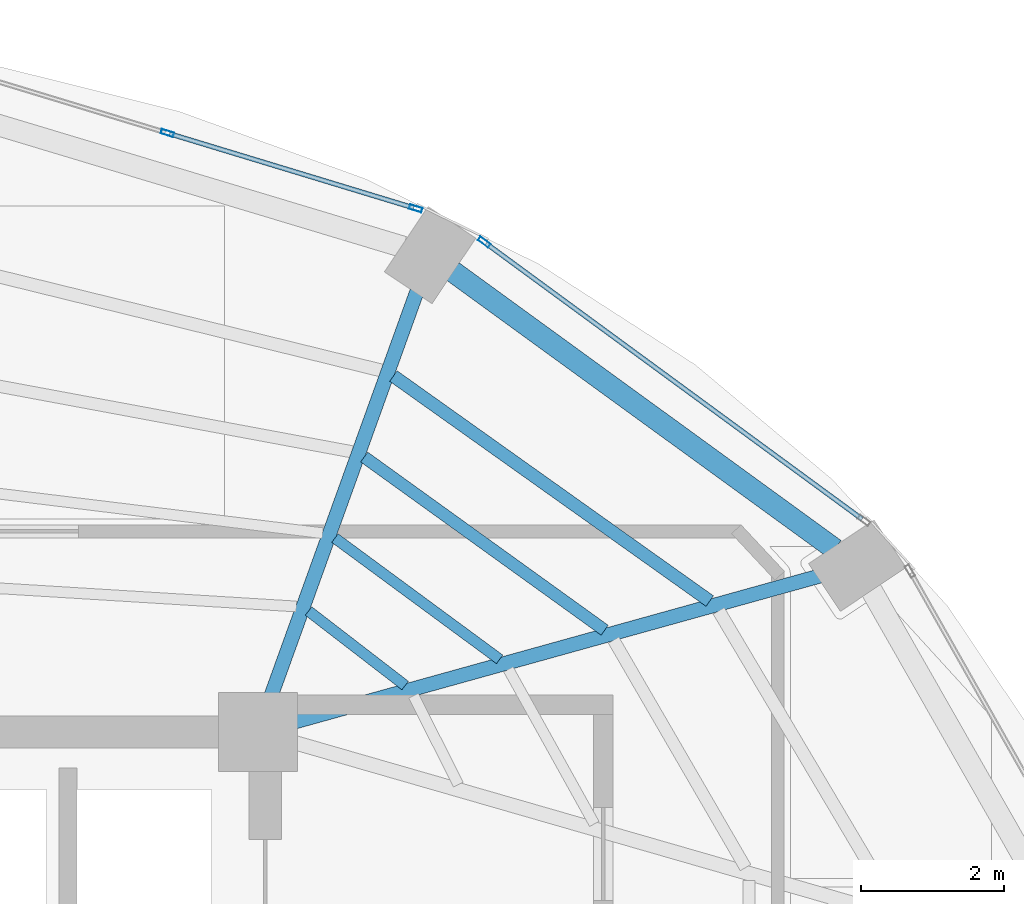
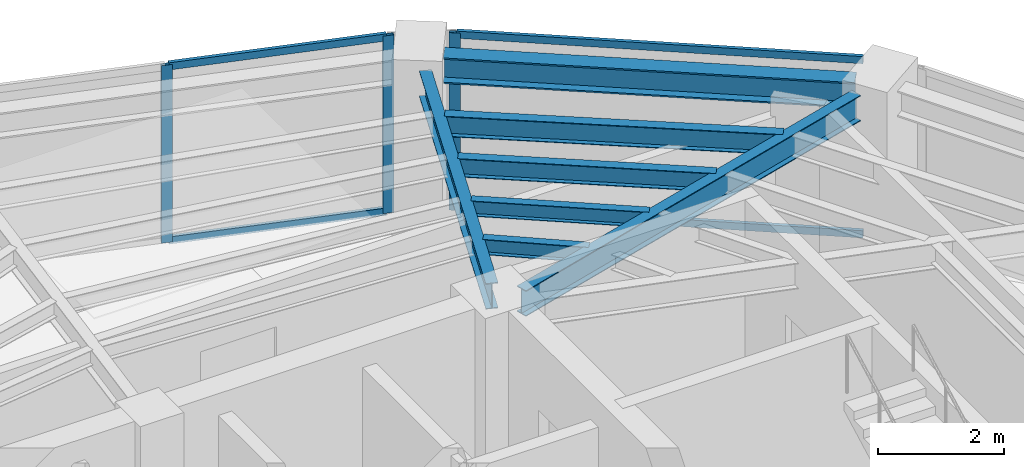
# One storey, part 4 of 12: 7 beams, 7 members, 2 elements without a shape of their own.
"""IFC4 building model written with IfcOpenShell, lengths in metres."""

import ifcopenshell
import ifcopenshell.guid

model = None  # the IFC model being written
_history = None  # IfcOwnerHistory: only IFC2X3 demands one
_inside = {}  # id of a spatial element -> (the spatial element, [elements in it])
_under = {}  # id of a project, library or spatial element -> (it, [spatial elements below it])
_declared = {}  # id of a project -> (the project, [libraries it declares])
_typed = {}  # id of a type object -> (the type object, [elements of that type])
_made_of = {}  # id of a material, layer set ... -> (it, [elements and type objects made of it])


def new_model(schema):
    """Start an empty IFC model of exactly this schema.

    Asked for "IFC4X3", IfcOpenShell would pick the latest addendum, in which some entities
    have other attributes; the version numbers below select the first issue.
    IFC2X3 requires an IfcOwnerHistory on every rooted entity: one is made here for all.
    """
    global model, _history
    if schema == "IFC4X3":
        model = ifcopenshell.file(schema_version=(4, 3, 0, 0))
    else:
        model = ifcopenshell.file(schema=schema)
    _inside.clear()
    _under.clear()
    _declared.clear()
    _typed.clear()
    _made_of.clear()
    _history = None
    if model.schema == "IFC2X3":
        org = make("IfcOrganization", Name="unknown")
        user = make(
            "IfcPersonAndOrganization",
            ThePerson=make("IfcPerson", FamilyName="unknown"),
            TheOrganization=org,
        )
        app = make(
            "IfcApplication",
            ApplicationDeveloper=org,
            Version="unknown",
            ApplicationFullName="unknown",
            ApplicationIdentifier="unknown",
        )
        _history = make(
            "IfcOwnerHistory",
            OwningUser=user,
            OwningApplication=app,
            ChangeAction="ADDED",
            CreationDate=0,
        )
    return model


def make(cls, **values):
    """One entity of the class cls with the attributes given. An attribute that is None is left unset."""
    return model.create_entity(
        cls, **{name: value for name, value in values.items() if value is not None}
    )


def rooted(cls, **values):
    """An entity with a GlobalId (a new one), such as an element, a storey or a relation."""
    return make(cls, GlobalId=ifcopenshell.guid.new(), OwnerHistory=_history, **values)


def si_unit(unit_type, name, prefix=None):
    """IfcSIUnit, for example si_unit("LENGTHUNIT", "METRE", prefix="MILLI")."""
    return make("IfcSIUnit", UnitType=unit_type, Prefix=prefix, Name=name)


def assignment(units):
    """IfcUnitAssignment: the units of a project."""
    return None if units is None else make("IfcUnitAssignment", Units=units)


def point(xyz):
    """IfcCartesianPoint."""
    return None if xyz is None else make("IfcCartesianPoint", Coordinates=xyz)


def direction(xyz):
    """IfcDirection."""
    return None if xyz is None else make("IfcDirection", DirectionRatios=xyz)


def frame(location, z_axis=None, x_axis=None):
    """IfcAxis2Placement3D, a coordinate frame: its origin and axes. An axis left out is left unset."""
    return make(
        "IfcAxis2Placement3D",
        Location=point(location),
        Axis=direction(z_axis),
        RefDirection=direction(x_axis),
    )


def frame_2d(location, x_axis=None):
    """IfcAxis2Placement2D, a coordinate frame in the plane: its origin and x axis."""
    return make(
        "IfcAxis2Placement2D", Location=point(location), RefDirection=direction(x_axis)
    )


def origin():
    """The frame at (0, 0, 0) with its axes left unset."""
    return frame((0.0, 0.0, 0.0))


def origin_2d():
    """The frame at (0, 0) in the plane with its x axis left unset."""
    return frame_2d((0.0, 0.0))


def place(relative_to, where):
    """IfcLocalPlacement: puts the frame where relative to a parent placement (None: the world)."""
    return make(
        "IfcLocalPlacement", PlacementRelTo=relative_to, RelativePlacement=where
    )


def context(
    kind, dimensions, precision=None, world=None, true_north=None, identifier=None
):
    """IfcGeometricRepresentationContext, for example the 3D "Model" context."""
    return make(
        "IfcGeometricRepresentationContext",
        ContextIdentifier=identifier,
        ContextType=kind,
        CoordinateSpaceDimension=dimensions,
        Precision=precision,
        WorldCoordinateSystem=world,
        TrueNorth=true_north,
    )


def subcontext(parent, identifier, kind, view, scale=None):
    """IfcGeometricRepresentationSubContext, for example "Body" below "Model"."""
    return make(
        "IfcGeometricRepresentationSubContext",
        ContextIdentifier=identifier,
        ContextType=kind,
        ParentContext=parent,
        TargetScale=scale,
        TargetView=view,
    )


def project(units=None, contexts=None):
    """IfcProject with its units and contexts."""
    return rooted(
        "IfcProject",
        Name="project",
        RepresentationContexts=contexts,
        UnitsInContext=assignment(units),
    )


def spatial(cls, under=None, at=None, **own):
    """A site, building, storey or space (cls), placed at a placement, below another one or the project."""
    s = rooted(cls, ObjectPlacement=at, **own)
    if under is not None:
        _under.setdefault(under.id(), (under, []))[1].append(s)
    return s


def profile(cls, at=None, kind="AREA", **sizes):
    """A parametric profile (cls). Its sizes go by their IFC names, for example OverallWidth=200.0."""
    return make(cls, ProfileType=kind, Position=at, **sizes)


def hollow_rectangle(**sizes):
    """IfcRectangleHollowProfileDef."""
    return profile("IfcRectangleHollowProfileDef", **sizes)


def i_section(**sizes):
    """IfcIShapeProfileDef."""
    return profile("IfcIShapeProfileDef", **sizes)


def extrude(swept, where, along, depth):
    """IfcExtrudedAreaSolid: the profile swept, set in the frame where, extruded along a direction by depth."""
    return make(
        "IfcExtrudedAreaSolid",
        SweptArea=swept,
        Position=where,
        ExtrudedDirection=direction(along),
        Depth=depth,
    )


def shape(context_of_items, identifier, shape_type, items):
    """IfcShapeRepresentation: the items that make up one representation, for example the "Body"."""
    return make(
        "IfcShapeRepresentation",
        ContextOfItems=context_of_items,
        RepresentationIdentifier=identifier,
        RepresentationType=shape_type,
        Items=items,
    )


def material(Name=None, Category=None):
    """IfcMaterial."""
    return make("IfcMaterial", Name=Name, Category=Category)


def layer(
    of_material, thickness, ventilated=None, Name=None, Category=None, Priority=None
):
    """IfcMaterialLayer: one layer of a wall or slab, of a material (None: an air gap)."""
    return make(
        "IfcMaterialLayer",
        Material=of_material,
        LayerThickness=thickness,
        IsVentilated=ventilated,
        Name=Name,
        Category=Category,
        Priority=Priority,
    )


def layer_set(layers, Name=None):
    """IfcMaterialLayerSet."""
    return make("IfcMaterialLayerSet", MaterialLayers=layers, LayerSetName=Name)


def material_profile(
    of_material, cross_section, Name=None, Category=None, Priority=None
):
    """IfcMaterialProfile: a cross section and its material."""
    return make(
        "IfcMaterialProfile",
        Name=Name,
        Material=of_material,
        Profile=cross_section,
        Priority=Priority,
        Category=Category,
    )


def profile_set(profiles, Name=None, composite=None):
    """IfcMaterialProfileSet."""
    return make(
        "IfcMaterialProfileSet",
        Name=Name,
        MaterialProfiles=profiles,
        CompositeProfile=composite,
    )


def made_of(thing, what):
    """Note that an element or type object is made of a material, layer set ...; save() writes the relation."""
    if what is not None:
        _made_of.setdefault(what.id(), (what, []))[1].append(thing)
    return thing


def type_object(cls, material=None, **own):
    """A type object (cls), such as IfcWallType, which elements share."""
    return made_of(rooted(cls, **own), material)


def element(
    cls,
    number,
    at=None,
    inside=None,
    cuts=None,
    type_object=None,
    material=None,
    context=None,
    identifier="Body",
    shape_type=None,
    held_by="IfcProductDefinitionShape",
    body=None,
    shapes=None,
    **own,
):
    """One element of the class cls, such as IfcWall. Its Tag is "e" and its number.

    at: its placement. inside: the storey or other place that contains it. cuts: it is an
    opening in that element (IfcRelVoidsElement). A single representation is given by context,
    identifier, shape_type and body (its items); several are given by shapes. held_by: the class
    of the entity that holds the representations. save() writes the other relations.
    """
    e = rooted(cls, Tag="e%d" % number, ObjectPlacement=at, **own)
    if body is not None:
        shapes = [shape(context, identifier, shape_type, body)]
    if shapes is not None:
        e.Representation = make(held_by, Representations=shapes)
    if inside is not None:
        _inside.setdefault(inside.id(), (inside, []))[1].append(e)
    if cuts is not None:
        rooted(
            "IfcRelVoidsElement", RelatingBuildingElement=cuts, RelatedOpeningElement=e
        )
    if type_object is not None:
        _typed.setdefault(type_object.id(), (type_object, []))[1].append(e)
    return made_of(e, material)


def aggregate(whole, parts):
    """IfcRelAggregates: a whole, such as a stair, and the parts it consists of."""
    return rooted("IfcRelAggregates", RelatingObject=whole, RelatedObjects=parts)


def save(model, path):
    """Write the relations noted so far, then the file.

    IfcRelAggregates (storeys below a building ...), IfcRelContainedInSpatialStructure (elements
    in a storey), IfcRelDefinesByType, IfcRelAssociatesMaterial and IfcRelDeclares: one each for
    every whole, place, type object, material and project.
    """
    for whole, parts in _under.values():
        aggregate(whole, parts)
    for where, things in _inside.values():
        rooted(
            "IfcRelContainedInSpatialStructure",
            RelatedElements=things,
            RelatingStructure=where,
        )
    for kind, things in _typed.values():
        rooted("IfcRelDefinesByType", RelatedObjects=things, RelatingType=kind)
    for what, things in _made_of.values():
        rooted("IfcRelAssociatesMaterial", RelatedObjects=things, RelatingMaterial=what)
    for by, libraries in _declared.values():
        rooted("IfcRelDeclares", RelatingContext=by, RelatedDefinitions=libraries)
    model.write(path)


model = new_model("IFC4")

# Units and contexts
model_context = context("Model", 3, precision=1e-05, world=origin(), true_north=direction((0.0, 1.0)))
body_context = subcontext(model_context, "Body", "Model", "MODEL_VIEW")
ifc_project = project(units=[si_unit("LENGTHUNIT", "METRE"), si_unit("AREAUNIT", "SQUARE_METRE"), si_unit("VOLUMEUNIT", "CUBIC_METRE"), si_unit("PLANEANGLEUNIT", "RADIAN"), si_unit("MASSUNIT", "GRAM", prefix="KILO")], contexts=[model_context])

# Site, building, storey
site_placement = place(None, origin())
site = spatial("IfcSite", under=ifc_project, at=site_placement, CompositionType="ELEMENT")
building_placement = place(site_placement, origin())
building = spatial("IfcBuilding", under=site, at=building_placement, Name="Lazwardi Medical Tower", CompositionType="ELEMENT")
storey_placement = place(building_placement, frame((0.0, 0.0, 287.85595703125)))
storey = spatial("IfcBuildingStorey", under=building, at=storey_placement, Name="L75", CompositionType="ELEMENT", Elevation=287.85595703125)

# Beams
ifc_material_1 = material(Name="Steel S355", Category="steel")
ifc_material_profile_1 = material_profile(ifc_material_1, i_section(OverallWidth=0.300048828125, OverallDepth=0.5, WebThickness=0.014404296875, FlangeThickness=0.028076171875, at=origin_2d()), Name="HEB 500")
ifc_profile_set_1 = profile_set([ifc_material_profile_1], Name="Steel S355")
beam_type_1 = type_object("IfcBeamType", Name="BM-RB-Z4", PredefinedType="BEAM", material=ifc_profile_set_1)
beam_1_placement = place(storey_placement, frame((53.644287109375, 38.15185546875, 3.197998046875), z_axis=(-0.808889916254, 0.587960120571, 0.0), x_axis=(-0.587960120571, -0.808889916254, 0.0)))
element("IfcBeam", 1, at=beam_1_placement, inside=storey, type_object=beam_type_1, Name="Ring beam RB-05 B06 L75", PredefinedType="BEAM", context=body_context, shape_type="SweptSolid", body=[
    extrude(i_section(OverallWidth=0.300048828125, OverallDepth=0.5, WebThickness=0.014404296875, FlangeThickness=0.028076171875, at=origin_2d()), origin(), (0.0, 0.0, 1.0), 6.587158203125),
])
ifc_material_profile_2 = material_profile(ifc_material_1, i_section(OverallWidth=0.199951171875, OverallDepth=0.5, WebThickness=0.01025390625, FlangeThickness=0.01611328125, at=origin_2d()), Name="IPE 500")
ifc_profile_set_2 = profile_set([ifc_material_profile_2], Name="Steel S355")
beam_type_2 = type_object("IfcBeamType", Name="BM-RG-W3", PredefinedType="BEAM", material=ifc_profile_set_2)
beam_2_placement = place(storey_placement, frame((53.444091796875, 37.779296875, 3.197998046875), z_axis=(-0.963504112843, -0.267693527254, 0.0), x_axis=(0.267693527254, -0.963504112843, 0.0)))
element("IfcBeam", 2, at=beam_2_placement, inside=storey, type_object=beam_type_2, Name="Radial girder RG-04 R06 L75", PredefinedType="BEAM", context=body_context, shape_type="SweptSolid", body=[
    extrude(i_section(OverallWidth=0.199951171875, OverallDepth=0.5, WebThickness=0.01025390625, FlangeThickness=0.01611328125, at=origin_2d()), origin(), (0.0, 0.0, 1.0), 7.606201171875),
])
beam_3_placement = place(storey_placement, frame((47.81884765625, 41.750732421875, 3.197998046875), z_axis=(-0.339348661818, -0.940660664492, 0.0), x_axis=(0.940660664492, -0.339348661818, 0.0)))
element("IfcBeam", 3, at=beam_3_placement, inside=storey, type_object=beam_type_2, Name="Radial girder RG-04 R07 L75", PredefinedType="BEAM", context=body_context, shape_type="SweptSolid", body=[
    extrude(i_section(OverallWidth=0.199951171875, OverallDepth=0.5, WebThickness=0.01025390625, FlangeThickness=0.01611328125, at=origin_2d()), origin(), (0.0, 0.0, 1.0), 6.003662109375),
])
ifc_material_profile_3 = material_profile(ifc_material_1, i_section(OverallWidth=0.179931640625, OverallDepth=0.39990234375, WebThickness=0.008544921875, FlangeThickness=0.013427734375, at=origin_2d()), Name="IPE 400")
ifc_profile_set_3 = profile_set([ifc_material_profile_3], Name="Steel S355")
beam_type_3 = type_object("IfcBeamType", Name="BM-SJ-01", PredefinedType="JOIST", material=ifc_profile_set_3)
beam_4_placement = place(storey_placement, frame((51.901123046875, 37.42724609375, 3.248046875), z_axis=(-0.814846949116, 0.579676159176, 0.0), x_axis=(-0.579676159176, -0.814846949116, 0.0)))
element("IfcBeam", 4, at=beam_4_placement, inside=storey, type_object=beam_type_3, Name="Secondary joist SJ-01 R1 B06 L75", PredefinedType="JOIST", context=body_context, shape_type="SweptSolid", body=[
    extrude(i_section(OverallWidth=0.179931640625, OverallDepth=0.39990234375, WebThickness=0.008544921875, FlangeThickness=0.013427734375, at=origin_2d()), origin(), (0.0, 0.0, 1.0), 5.4150390625),
])
ifc_material_profile_4 = material_profile(ifc_material_1, i_section(OverallWidth=0.169921875, OverallDepth=0.360107421875, WebThickness=0.008056640625, FlangeThickness=0.0126953125, at=origin_2d()), Name="IPE 360")
ifc_profile_set_4 = profile_set([ifc_material_profile_4], Name="Steel S355")
beam_type_4 = type_object("IfcBeamType", Name="BM-SJ-02", PredefinedType="JOIST", material=ifc_profile_set_4)
beam_5_placement = place(storey_placement, frame((50.435546875, 37.0205078125, 3.26806640625), z_axis=(-0.811472726235, 0.58439029302, 0.0), x_axis=(-0.58439029302, -0.811472726235, 0.0)))
element("IfcBeam", 5, at=beam_5_placement, inside=storey, type_object=beam_type_4, Name="Secondary joist SJ-02 R2 B06 L75", PredefinedType="JOIST", context=body_context, shape_type="SweptSolid", body=[
    extrude(i_section(OverallWidth=0.169921875, OverallDepth=0.360107421875, WebThickness=0.008056640625, FlangeThickness=0.0126953125, at=origin_2d()), origin(), (0.0, 0.0, 1.0), 4.1337890625),
])
ifc_material_profile_5 = material_profile(ifc_material_1, i_section(OverallWidth=0.14990234375, OverallDepth=0.300048828125, WebThickness=0.007080078125, FlangeThickness=0.0107421875, at=origin_2d()), Name="IPE 300")
ifc_profile_set_5 = profile_set([ifc_material_profile_5], Name="Steel S355")
beam_type_5 = type_object("IfcBeamType", Name="BM-SJ-03", PredefinedType="JOIST", material=ifc_profile_set_5)
beam_6_placement = place(storey_placement, frame((48.970458984375, 36.614013671875, 3.298095703125), z_axis=(-0.805236450776, 0.592953841662, 0.0), x_axis=(-0.592953841662, -0.805236450776, 0.0)))
element("IfcBeam", 6, at=beam_6_placement, inside=storey, type_object=beam_type_5, Name="Secondary joist SJ-03 R3 B06 L75", PredefinedType="JOIST", context=body_context, shape_type="SweptSolid", body=[
    extrude(i_section(OverallWidth=0.14990234375, OverallDepth=0.300048828125, WebThickness=0.007080078125, FlangeThickness=0.0107421875, at=origin_2d()), origin(), (0.0, 0.0, 1.0), 2.853271484375),
])
beam_7_placement = place(storey_placement, frame((47.652587890625, 36.2490234375, 3.298095703125), z_axis=(-0.792010197197, 0.610507860339, 0.0), x_axis=(-0.610507860339, -0.792010197197, 0.0)))
element("IfcBeam", 7, at=beam_7_placement, inside=storey, type_object=beam_type_5, Name="Secondary joist SJ-03 R4 B06 L75", PredefinedType="JOIST", context=body_context, shape_type="SweptSolid", body=[
    extrude(i_section(OverallWidth=0.14990234375, OverallDepth=0.300048828125, WebThickness=0.007080078125, FlangeThickness=0.0107421875, at=origin_2d()), origin(), (0.0, 0.0, 1.0), 1.70166015625),
])

# Curtain wall, member
ifc_material_2 = material(Name="Anodised bronze aluminium and solar control glazing", Category="aluminium")
ifc_layer = layer(ifc_material_2, 0.18994140625)
ifc_layer_set = layer_set([ifc_layer], Name="Anodised bronze aluminium and solar control glazing")
curtain_wall_type = type_object("IfcCurtainWallType", Name="CW-SYS-04", PredefinedType="NOTDEFINED", material=ifc_layer_set)
curtain_wall_1_placement = place(storey_placement, origin())
curtain_wall_1 = element("IfcCurtainWall", 8, at=curtain_wall_1_placement, inside=storey, type_object=curtain_wall_type, Name="L75 Unitised bronze curtain wall CW-04", PredefinedType="NOTDEFINED")
ifc_material_3 = material(Name="Anodised bronze aluminium", Category="aluminium")
ifc_material_profile_6 = material_profile(ifc_material_3, hollow_rectangle(XDim=0.06494140625, YDim=0.179931640625, WallThickness=0.00390625, at=origin_2d()), Name="ALU-MULLION 180x65x4")
ifc_profile_set_6 = profile_set([ifc_material_profile_6], Name="Anodised bronze aluminium")
member_type_1 = type_object("IfcMemberType", Name="CW-MUL-03", PredefinedType="MULLION", material=ifc_profile_set_6)
member_1_placement = place(storey_placement, frame((48.75537109375, 42.434814453125, 0.0), z_axis=(0.0, 0.0, 1.0), x_axis=(-0.591268230971, -0.806474971121, 0.0)))
member_1 = element("IfcMember", 9, at=member_1_placement, type_object=member_type_1, Name="CW-04 mullion 2", PredefinedType="MULLION", context=body_context, shape_type="SweptSolid", body=[
    extrude(hollow_rectangle(XDim=0.06494140625, YDim=0.179931640625, WallThickness=0.00390625, at=origin_2d()), origin(), (0.0, 0.0, 1.0), 3.447998046875),
])

# Curtain wall, members
curtain_wall_2_placement = place(storey_placement, origin())
curtain_wall_2 = element("IfcCurtainWall", 10, at=curtain_wall_2_placement, inside=storey, type_object=curtain_wall_type, Name="L75 Unitised bronze curtain wall CW-04", PredefinedType="NOTDEFINED")
member_2_placement = place(storey_placement, frame((47.7998046875, 42.903564453125, 0.0), z_axis=(0.0, 0.0, 1.0), x_axis=(-0.290581889515, -0.956850126972, 0.0)))
member_2 = element("IfcMember", 11, at=member_2_placement, type_object=member_type_1, Name="CW-04 mullion 1", PredefinedType="MULLION", context=body_context, shape_type="SweptSolid", body=[
    extrude(hollow_rectangle(XDim=0.06494140625, YDim=0.179931640625, WallThickness=0.00390625, at=origin_2d()), origin(), (0.0, 0.0, 1.0), 3.447998046875),
])
member_3_placement = place(storey_placement, frame((44.33642578125, 43.955322265625, 0.0), z_axis=(0.0, 0.0, 1.0), x_axis=(-0.290581889515, -0.956850126972, 0.0)))
member_3 = element("IfcMember", 12, at=member_3_placement, type_object=member_type_1, Name="CW-04 mullion 2", PredefinedType="MULLION", context=body_context, shape_type="SweptSolid", body=[
    extrude(hollow_rectangle(XDim=0.06494140625, YDim=0.179931640625, WallThickness=0.00390625, at=origin_2d()), origin(), (0.0, 0.0, 1.0), 3.447998046875),
])

# Member
ifc_material_profile_7 = material_profile(ifc_material_3, hollow_rectangle(XDim=0.06494140625, YDim=0.139892578125, WallThickness=0.00341796875, at=origin_2d()), Name="ALU-TRANSOM 140x65x3.5")
ifc_profile_set_7 = profile_set([ifc_material_profile_7], Name="Anodised bronze aluminium")
member_type_2 = type_object("IfcMemberType", Name="CW-TRN-03", PredefinedType="USERDEFINED", material=ifc_profile_set_7)
member_4_placement = place(storey_placement, frame((54.02587890625, 38.57080078125, 0.032470703125), z_axis=(-0.806471831148, 0.591272513791, 0.0), x_axis=(-0.591272513791, -0.806471831148, 0.0)))
member_4 = element("IfcMember", 13, at=member_4_placement, type_object=member_type_2, Name="CW-04 transom 1.1", ObjectType="TRANSOM", PredefinedType="USERDEFINED", context=body_context, shape_type="SweptSolid", body=[
    extrude(hollow_rectangle(XDim=0.06494140625, YDim=0.139892578125, WallThickness=0.00341796875, at=origin_2d()), origin(), (0.0, 0.0, 1.0), 6.5029296875),
])

member_5_placement = place(storey_placement, frame((54.02587890625, 38.57080078125, 3.41552734375), z_axis=(-0.806471831148, 0.591272513791, 0.0), x_axis=(-0.591272513791, -0.806471831148, 0.0)))
member_5 = element("IfcMember", 14, at=member_5_placement, type_object=member_type_2, Name="CW-04 transom 1.2", ObjectType="TRANSOM", PredefinedType="USERDEFINED", context=body_context, shape_type="SweptSolid", body=[
    extrude(hollow_rectangle(XDim=0.06494140625, YDim=0.139892578125, WallThickness=0.00341796875, at=origin_2d()), origin(), (0.0, 0.0, 1.0), 6.5029296875),
])

aggregate(curtain_wall_1, [member_1, member_4, member_5])

member_6_placement = place(storey_placement, frame((47.7685546875, 42.9130859375, 0.032470703125), z_axis=(-0.956862505902, 0.290541124109, 0.0), x_axis=(-0.290541124109, -0.956862505902, 0.0)))
member_6 = element("IfcMember", 15, at=member_6_placement, type_object=member_type_2, Name="CW-04 transom 1.1", ObjectType="TRANSOM", PredefinedType="USERDEFINED", context=body_context, shape_type="SweptSolid", body=[
    extrude(hollow_rectangle(XDim=0.06494140625, YDim=0.139892578125, WallThickness=0.00341796875, at=origin_2d()), origin(), (0.0, 0.0, 1.0), 3.554443359375),
])

member_7_placement = place(storey_placement, frame((47.7685546875, 42.9130859375, 3.41552734375), z_axis=(-0.956862505902, 0.290541124109, 0.0), x_axis=(-0.290541124109, -0.956862505902, 0.0)))
member_7 = element("IfcMember", 16, at=member_7_placement, type_object=member_type_2, Name="CW-04 transom 1.2", ObjectType="TRANSOM", PredefinedType="USERDEFINED", context=body_context, shape_type="SweptSolid", body=[
    extrude(hollow_rectangle(XDim=0.06494140625, YDim=0.139892578125, WallThickness=0.00341796875, at=origin_2d()), origin(), (0.0, 0.0, 1.0), 3.554443359375),
])

aggregate(curtain_wall_2, [member_2, member_3, member_6, member_7])

save(model, "model.ifc")
